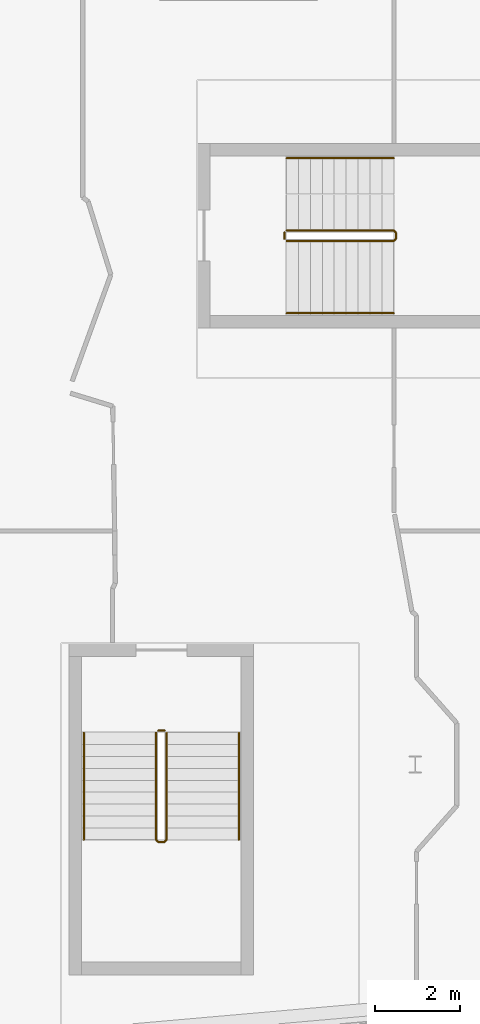
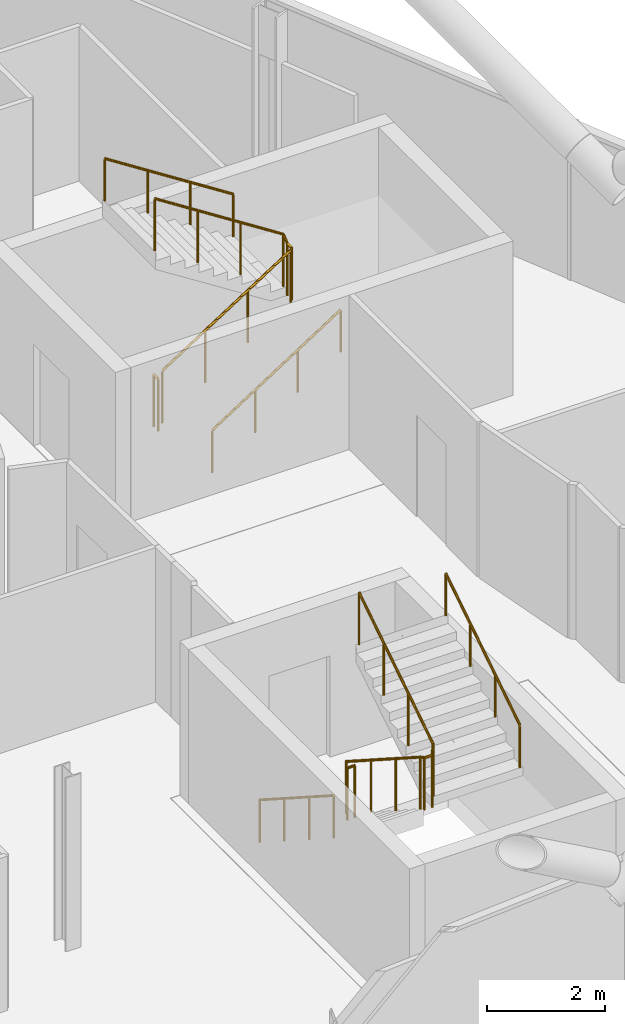
# One storey, part 27 of 28: 8 railings.
"""IFC4 building model written with IfcOpenShell, lengths in metres."""

from ifc_helpers import new_model, si_unit, direction, frame, origin, origin_2d, place, context, subcontext, project, spatial, circle, extrude, material, type_object, element, save


model = new_model("IFC4")

# Units and contexts
model_context = context("Model", 3, precision=1e-05, world=origin(), true_north=direction((0.0, 1.0)))
body_context = subcontext(model_context, "Body", "Model", "MODEL_VIEW")
ifc_project = project(units=[si_unit("LENGTHUNIT", "METRE"), si_unit("AREAUNIT", "SQUARE_METRE"), si_unit("VOLUMEUNIT", "CUBIC_METRE"), si_unit("PLANEANGLEUNIT", "RADIAN"), si_unit("MASSUNIT", "GRAM", prefix="KILO")], contexts=[model_context])

# Site, building, storey
site_placement = place(None, origin())
site = spatial("IfcSite", under=ifc_project, at=site_placement, CompositionType="ELEMENT")
building_placement = place(site_placement, origin())
building = spatial("IfcBuilding", under=site, at=building_placement, Name="Wharfspan Tower", CompositionType="ELEMENT")
storey_placement = place(building_placement, frame((0.0, 0.0, 253.899902)))
storey = spatial("IfcBuildingStorey", under=building, at=storey_placement, Name="L64", CompositionType="ELEMENT", Elevation=253.899902)

# Railings
ifc_material = material(Name="Steel S355J2", Category="steel")
railing_type_1 = type_object("IfcRailingType", Name="Stair guard 1100", PredefinedType="GUARDRAIL", material=ifc_material)
railing_1_placement = place(storey_placement, frame((65.893799, 12.246094, 0.180176)))
element("IfcRailing", 1, at=railing_1_placement, inside=storey, type_object=railing_type_1, Name="L64 ST5 stair guard 1", PredefinedType="GUARDRAIL", context=body_context, shape_type="SweptSolid", body=[
    extrude(circle(Radius=0.023926, at=origin_2d()), frame((0.0, 0.0, 1.076172), z_axis=(0.0, -0.8412, 0.540725), x_axis=(1.0, 0.0, 0.0)), (0.0, 0.0, 1.0), 2.99585),
    extrude(circle(Radius=0.023926, at=origin_2d()), frame((0.0, -2.52002, 2.695801), z_axis=(0.708834, -0.705376, 0.0), x_axis=(0.705376, 0.708834, 0.0)), (0.0, 0.0, 1.0), 0.070557),
    extrude(circle(Radius=0.023926, at=origin_2d()), frame((0.050049, -2.569824, 2.695801), z_axis=(1.0, 0.0, 0.0), x_axis=(0.0, 1.0, 0.0)), (0.0, 0.0, 1.0), 0.149902),
    extrude(circle(Radius=0.023926, at=origin_2d()), frame((0.199951, -2.569824, 2.695801), z_axis=(0.258932, 0.257669, 0.930892), x_axis=(-0.705372, 0.708833, -1e-06)), (0.0, 0.0, 1.0), 0.193359),
    extrude(circle(Radius=0.023926, at=origin_2d()), frame((0.25, -2.52002, 2.875977), z_axis=(0.0, 0.841163, 0.540782), x_axis=(-1.0, 0.0, 0.0)), (0.0, 0.0, 1.0), 2.99585),
    extrude(circle(Radius=0.020996, at=origin_2d()), origin(), (0.0, 0.0, 1.0), 1.052002),
    extrude(circle(Radius=0.020996, at=origin_2d()), frame((0.0, -0.840088, 0.540039)), (0.0, 0.0, 1.0), 1.052002),
    extrude(circle(Radius=0.020996, at=origin_2d()), frame((0.0, -1.679932, 1.079834)), (0.0, 0.0, 1.0), 1.052002),
    extrude(circle(Radius=0.020996, at=origin_2d()), frame((0.0, -2.52002, 1.619873)), (0.0, 0.0, 1.0), 1.052002),
    extrude(circle(Radius=0.020996, at=origin_2d()), frame((0.050049, -2.569824, 1.619873)), (0.0, 0.0, 1.0), 1.052002),
    extrude(circle(Radius=0.020996, at=origin_2d()), frame((0.199951, -2.569824, 1.619873)), (0.0, 0.0, 1.0), 1.052002),
    extrude(circle(Radius=0.020996, at=origin_2d()), frame((0.25, -2.52002, 1.799805)), (0.0, 0.0, 1.0), 1.052002),
    extrude(circle(Radius=0.020996, at=origin_2d()), frame((0.25, -1.679932, 2.339844)), (0.0, 0.0, 1.0), 1.052002),
    extrude(circle(Radius=0.020996, at=origin_2d()), frame((0.25, -0.840088, 2.879883)), (0.0, 0.0, 1.0), 1.052002),
    extrude(circle(Radius=0.020996, at=origin_2d()), frame((0.25, 0.0, 3.419922)), (0.0, 0.0, 1.0), 1.052002),
])
railing_2_placement = place(storey_placement, frame((65.943848, 12.296143, 0.0)))
element("IfcRailing", 2, at=railing_2_placement, inside=storey, type_object=railing_type_1, Name="L64 ST5 stair guard 2", PredefinedType="GUARDRAIL", context=body_context, shape_type="SweptSolid", body=[
    extrude(circle(Radius=0.023926, at=origin_2d()), frame((0.0, 0.0, 1.076172), z_axis=(1.0, 0.0, 0.0), x_axis=(0.0, 1.0, 0.0)), (0.0, 0.0, 1.0), 0.149902),
    extrude(circle(Radius=0.020996, at=origin_2d()), origin(), (0.0, 0.0, 1.0), 1.052002),
    extrude(circle(Radius=0.020996, at=origin_2d()), frame((0.149902, 0.0, 0.0)), (0.0, 0.0, 1.0), 1.052002),
])
railing_3_placement = place(storey_placement, frame((68.969482, 23.824951, 0.180176)))
element("IfcRailing", 3, at=railing_3_placement, inside=storey, type_object=railing_type_1, Name="L64 ST6 stair guard 1", PredefinedType="GUARDRAIL", context=body_context, shape_type="SweptSolid", body=[
    extrude(circle(Radius=0.023926, at=origin_2d()), frame((0.0, 0.0, 1.076172), z_axis=(0.8412, 0.0, 0.540725), x_axis=(0.0, 1.0, 0.0)), (0.0, 0.0, 1.0), 2.99585),
    extrude(circle(Radius=0.023926, at=origin_2d()), frame((2.52002, 0.0, 2.695801), z_axis=(0.707107, 0.707107, 0.0), x_axis=(-0.707107, 0.707107, 0.0)), (0.0, 0.0, 1.0), 0.070801),
    extrude(circle(Radius=0.023926, at=origin_2d()), frame((2.570068, 0.050049, 2.695801), z_axis=(0.0, 1.0, 0.0), x_axis=(-1.0, 0.0, 0.0)), (0.0, 0.0, 1.0), 0.149902),
    extrude(circle(Radius=0.023926, at=origin_2d()), frame((2.570068, 0.199951, 2.695801), z_axis=(-0.258848, 0.258848, 0.930589), x_axis=(-0.707107, -0.707107, 0.0)), (0.0, 0.0, 1.0), 0.193359),
    extrude(circle(Radius=0.023926, at=origin_2d()), frame((2.52002, 0.25, 2.875977), z_axis=(-0.841163, 0.0, 0.540782), x_axis=(0.0, -1.0, 0.0)), (0.0, 0.0, 1.0), 2.99585),
    extrude(circle(Radius=0.020996, at=origin_2d()), origin(), (0.0, 0.0, 1.0), 1.052002),
    extrude(circle(Radius=0.020996, at=origin_2d()), frame((0.840088, 0.0, 0.540039)), (0.0, 0.0, 1.0), 1.052002),
    extrude(circle(Radius=0.020996, at=origin_2d()), frame((1.679932, 0.0, 1.079834)), (0.0, 0.0, 1.0), 1.052002),
    extrude(circle(Radius=0.020996, at=origin_2d()), frame((2.52002, 0.0, 1.619873)), (0.0, 0.0, 1.0), 1.052002),
    extrude(circle(Radius=0.020996, at=origin_2d()), frame((2.570068, 0.050049, 1.619873)), (0.0, 0.0, 1.0), 1.052002),
    extrude(circle(Radius=0.020996, at=origin_2d()), frame((2.570068, 0.199951, 1.619873)), (0.0, 0.0, 1.0), 1.052002),
    extrude(circle(Radius=0.020996, at=origin_2d()), frame((2.52002, 0.25, 1.799805)), (0.0, 0.0, 1.0), 1.052002),
    extrude(circle(Radius=0.020996, at=origin_2d()), frame((1.679932, 0.25, 2.339844)), (0.0, 0.0, 1.0), 1.052002),
    extrude(circle(Radius=0.020996, at=origin_2d()), frame((0.840088, 0.25, 2.879883)), (0.0, 0.0, 1.0), 1.052002),
    extrude(circle(Radius=0.020996, at=origin_2d()), frame((0.0, 0.25, 3.419922)), (0.0, 0.0, 1.0), 1.052002),
])
railing_4_placement = place(storey_placement, frame((68.919678, 23.875, 0.0)))
element("IfcRailing", 4, at=railing_4_placement, inside=storey, type_object=railing_type_1, Name="L64 ST6 stair guard 2", PredefinedType="GUARDRAIL", context=body_context, shape_type="SweptSolid", body=[
    extrude(circle(Radius=0.023926, at=origin_2d()), frame((0.0, 0.0, 1.076172), z_axis=(0.0, 1.0, 0.0), x_axis=(-1.0, 0.0, 0.0)), (0.0, 0.0, 1.0), 0.149902),
    extrude(circle(Radius=0.020996, at=origin_2d()), origin(), (0.0, 0.0, 1.0), 1.052002),
    extrude(circle(Radius=0.020996, at=origin_2d()), frame((0.0, 0.149902, 0.0)), (0.0, 0.0, 1.0), 1.052002),
])
railing_type_2 = type_object("IfcRailingType", Name="Stair handrail 900", PredefinedType="HANDRAIL", material=ifc_material)
railing_5_placement = place(storey_placement, frame((64.193848, 12.246094, 0.180176)))
element("IfcRailing", 5, at=railing_5_placement, inside=storey, type_object=railing_type_2, Name="L64 ST5 stair handrail 1", PredefinedType="HANDRAIL", context=body_context, shape_type="SweptSolid", body=[
    extrude(circle(Radius=0.023926, at=origin_2d()), frame((0.0, 0.0, 0.875977), z_axis=(0.0, -0.8412, 0.540725), x_axis=(1.0, 0.0, 0.0)), (0.0, 0.0, 1.0), 2.99585),
    extrude(circle(Radius=0.020996, at=origin_2d()), origin(), (0.0, 0.0, 1.0), 0.851807),
    extrude(circle(Radius=0.020996, at=origin_2d()), frame((0.0, -0.840088, 0.540039)), (0.0, 0.0, 1.0), 0.851807),
    extrude(circle(Radius=0.020996, at=origin_2d()), frame((0.0, -1.679932, 1.079834)), (0.0, 0.0, 1.0), 0.851807),
    extrude(circle(Radius=0.020996, at=origin_2d()), frame((0.0, -2.52002, 1.619873)), (0.0, 0.0, 1.0), 0.851807),
])
railing_6_placement = place(storey_placement, frame((67.84375, 9.726074, 1.97998)))
element("IfcRailing", 6, at=railing_6_placement, inside=storey, type_object=railing_type_2, Name="L64 ST5 stair handrail 2", PredefinedType="HANDRAIL", context=body_context, shape_type="SweptSolid", body=[
    extrude(circle(Radius=0.023926, at=origin_2d()), frame((0.0, 0.0, 0.875977), z_axis=(0.0, 0.841163, 0.540782), x_axis=(-1.0, 0.0, 0.0)), (0.0, 0.0, 1.0), 2.99585),
    extrude(circle(Radius=0.020996, at=origin_2d()), origin(), (0.0, 0.0, 1.0), 0.851807),
    extrude(circle(Radius=0.020996, at=origin_2d()), frame((0.0, 0.840088, 0.540039)), (0.0, 0.0, 1.0), 0.851807),
    extrude(circle(Radius=0.020996, at=origin_2d()), frame((0.0, 1.679932, 1.080078)), (0.0, 0.0, 1.0), 0.851807),
    extrude(circle(Radius=0.020996, at=origin_2d()), frame((0.0, 2.52002, 1.620117)), (0.0, 0.0, 1.0), 0.851807),
])
railing_7_placement = place(storey_placement, frame((68.969482, 22.125, 0.180176)))
element("IfcRailing", 7, at=railing_7_placement, inside=storey, type_object=railing_type_2, Name="L64 ST6 stair handrail 1", PredefinedType="HANDRAIL", context=body_context, shape_type="SweptSolid", body=[
    extrude(circle(Radius=0.023926, at=origin_2d()), frame((0.0, 0.0, 0.875977), z_axis=(0.8412, 0.0, 0.540725), x_axis=(0.0, 1.0, 0.0)), (0.0, 0.0, 1.0), 2.99585),
    extrude(circle(Radius=0.020996, at=origin_2d()), origin(), (0.0, 0.0, 1.0), 0.851807),
    extrude(circle(Radius=0.020996, at=origin_2d()), frame((0.840088, 0.0, 0.540039)), (0.0, 0.0, 1.0), 0.851807),
    extrude(circle(Radius=0.020996, at=origin_2d()), frame((1.679932, 0.0, 1.079834)), (0.0, 0.0, 1.0), 0.851807),
    extrude(circle(Radius=0.020996, at=origin_2d()), frame((2.52002, 0.0, 1.619873)), (0.0, 0.0, 1.0), 0.851807),
])
railing_8_placement = place(storey_placement, frame((71.489502, 25.774902, 1.97998)))
element("IfcRailing", 8, at=railing_8_placement, inside=storey, type_object=railing_type_2, Name="L64 ST6 stair handrail 2", PredefinedType="HANDRAIL", context=body_context, shape_type="SweptSolid", body=[
    extrude(circle(Radius=0.023926, at=origin_2d()), frame((0.0, 0.0, 0.875977), z_axis=(-0.841163, 0.0, 0.540782), x_axis=(0.0, -1.0, 0.0)), (0.0, 0.0, 1.0), 2.99585),
    extrude(circle(Radius=0.020996, at=origin_2d()), origin(), (0.0, 0.0, 1.0), 0.851807),
    extrude(circle(Radius=0.020996, at=origin_2d()), frame((-0.840088, 0.0, 0.540039)), (0.0, 0.0, 1.0), 0.851807),
    extrude(circle(Radius=0.020996, at=origin_2d()), frame((-1.679932, 0.0, 1.080078)), (0.0, 0.0, 1.0), 0.851807),
    extrude(circle(Radius=0.020996, at=origin_2d()), frame((-2.52002, 0.0, 1.620117)), (0.0, 0.0, 1.0), 0.851807),
])

save(model, "model.ifc")
